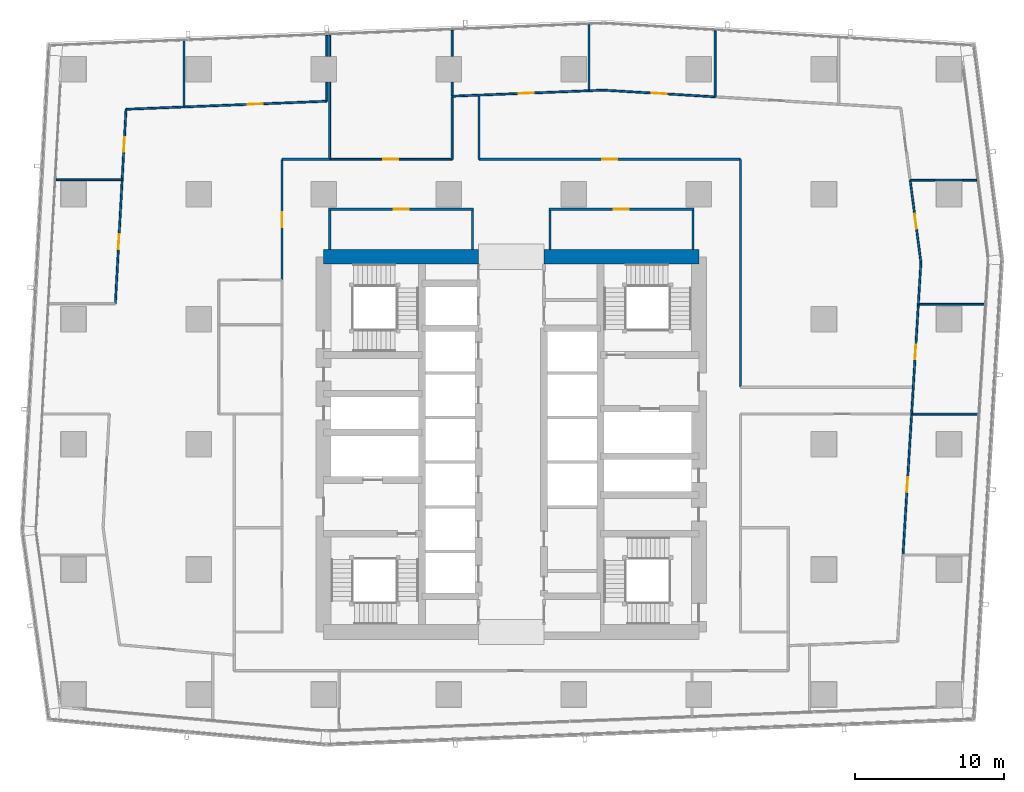
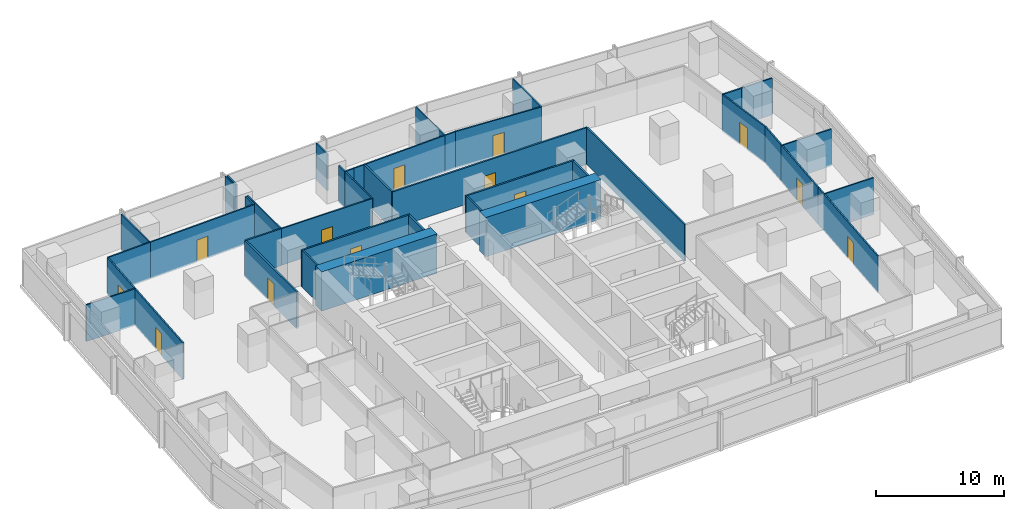
# One storey, part 31 of 40: 43 walls, 13 doors, 13 openings.
"""IFC4 building model written with IfcOpenShell, lengths in metres."""

from ifc_helpers import new_model, si_unit, direction, frame, frame_2d, origin, place, context, subcontext, project, spatial, rectangle, extrude, material, layer, layer_set, type_object, element, fill, save


model = new_model("IFC4")

# Units and contexts
model_context = context("Model", 3, precision=1e-05, world=origin(), true_north=direction((0.0, 1.0)))
body_context = subcontext(model_context, "Body", "Model", "MODEL_VIEW")
ifc_project = project(units=[si_unit("LENGTHUNIT", "METRE"), si_unit("AREAUNIT", "SQUARE_METRE"), si_unit("VOLUMEUNIT", "CUBIC_METRE"), si_unit("PLANEANGLEUNIT", "RADIAN"), si_unit("MASSUNIT", "GRAM", prefix="KILO")], contexts=[model_context])

# Site, building, storey
site_placement = place(None, origin())
site = spatial("IfcSite", under=ifc_project, at=site_placement, CompositionType="ELEMENT")
building_placement = place(site_placement, origin())
building = spatial("IfcBuilding", under=site, at=building_placement, Name="Rekha Terrace Tower", CompositionType="ELEMENT")
storey_placement = place(building_placement, frame((0.0, 0.0, 106.550048828125)))
storey = spatial("IfcBuildingStorey", under=building, at=storey_placement, Name="L26", CompositionType="ELEMENT", Elevation=106.550048828125)

# Walls
ifc_material_1 = material(Name="Concrete M70", Category="concrete")
ifc_layer_1 = layer(ifc_material_1, 1.0)
ifc_layer_set_1 = layer_set([ifc_layer_1], Name="Concrete M70")
wall_type_1 = type_object("IfcWallType", Name="SW2 1000 core outer shear wall", PredefinedType="SHEAR", material=ifc_layer_set_1)
wall_1_placement = place(storey_placement, frame((25.199951171875, 46.199951171875, 0.0), z_axis=(0.0, 0.0, 1.0), x_axis=(1.0, 0.0, 0.0)))
element("IfcWall", 1, at=wall_1_placement, inside=storey, type_object=wall_type_1, Name="Core wall N1 L26", PredefinedType="SHEAR", context=body_context, shape_type="SweptSolid", body=[
    extrude(rectangle(XDim=10.400146484375, YDim=1.0, at=frame_2d((5.2001953125, 0.0))), origin(), (0.0, 0.0, 1.0), 3.75),
])
wall_2_placement = place(storey_placement, frame((40.0, 46.199951171875, 0.0), z_axis=(0.0, 0.0, 1.0), x_axis=(1.0, 0.0, 0.0)))
element("IfcWall", 2, at=wall_2_placement, inside=storey, type_object=wall_type_1, Name="Core wall N2 L26", PredefinedType="SHEAR", context=body_context, shape_type="SweptSolid", body=[
    extrude(rectangle(XDim=10.39990234375, YDim=1.0, at=frame_2d((5.199951171875, 0.0))), origin(), (0.0, 0.0, 1.0), 3.75),
])

# Wall, opening, door
ifc_material_2 = material(Name="Concrete block masonry, 1 hour", Category="masonry")
ifc_layer_2 = layer(ifc_material_2, 0.14990234375)
ifc_layer_set_2 = layer_set([ifc_layer_2], Name="Concrete block masonry, 1 hour")
wall_type_2 = type_object("IfcWallType", Name="WP2 150 tenancy partition", PredefinedType="PARTITIONING", material=ifc_layer_set_2)
wall_3_placement = place(storey_placement, frame((40.324951171875, 49.39990234375, 0.0), z_axis=(0.0, 0.0, 1.0), x_axis=(1.0, 0.0, 0.0)))
wall_3 = element("IfcWall", 3, at=wall_3_placement, inside=storey, type_object=wall_type_2, Name="Women's WC wall L26", PredefinedType="PARTITIONING", context=body_context, shape_type="SweptSolid", body=[
    extrude(rectangle(XDim=9.75, YDim=0.14990234375, at=frame_2d((4.875, 0.0))), origin(), (0.0, 0.0, 1.0), 3.5),
])
opening_1_placement = place(wall_3_placement, frame((4.375, 0.0, 0.0)))
opening_1 = element("IfcOpeningElement", 4, at=opening_1_placement, cuts=wall_3, Name="Opening D3", PredefinedType="OPENING", context=body_context, shape_type="SweptSolid", body=[
    extrude(rectangle(XDim=1.0, YDim=2.10009765625, at=frame_2d((0.5, 1.050048828125))), frame((0.0, 0.0849609375, 0.0), z_axis=(0.0, -1.0, 0.0), x_axis=(1.0, 0.0, 0.0)), (0.0, 0.0, 1.0), 0.169921875),
])
ifc_material_3 = material(Name="Laminated timber fire door", Category="wood")
door_type_1 = type_object("IfcDoorType", Name="D3 1000x2100 WC door", OperationType="SINGLE_SWING_LEFT", PredefinedType="DOOR", material=ifc_material_3)
door_1_placement = place(opening_1_placement, origin())
door_1 = element("IfcDoor", 5, at=door_1_placement, inside=storey, type_object=door_type_1, Name="Door women's wc L26", OperationType="SINGLE_SWING_LEFT", OverallHeight=2.10009765625, OverallWidth=1.0, PredefinedType="DOOR", context=body_context, shape_type="SweptSolid", body=[
    extrude(rectangle(XDim=1.0, YDim=2.10009765625, at=frame_2d((0.5, 1.050048828125))), frame((0.0, 0.02490234375, 0.0), z_axis=(0.0, -1.0, 0.0), x_axis=(1.0, 0.0, 0.0)), (0.0, 0.0, 1.0), 0.050048828125),
])
fill(opening_1, door_1)

# Walls
for number, where, z_axis, x_axis, name in (
    (6, (40.39990234375, 46.699951171875, 0.0), (0.0, 0.0, 1.0), (0.0, 1.0, 0.0), "Women's WC wall L26"),
    (7, (50.0, 46.699951171875, 0.0), (0.0, 0.0, 1.0), (0.0, 1.0, 0.0), "Women's WC wall L26"),
):
    element("IfcWall", number, at=place(storey_placement, frame(where, z_axis=z_axis, x_axis=x_axis)), inside=storey, type_object=wall_type_2, Name=name, PredefinedType="PARTITIONING", context=body_context, shape_type="SweptSolid", body=[
        extrude(rectangle(XDim=2.625, YDim=0.14990234375, at=frame_2d((1.3125, 0.0))), origin(), (0.0, 0.0, 1.0), 3.5),
    ])

# Wall, opening, door
wall_4_placement = place(storey_placement, frame((25.52490234375, 49.39990234375, 0.0), z_axis=(0.0, 0.0, 1.0), x_axis=(1.0, 0.0, 0.0)))
wall_4 = element("IfcWall", 8, at=wall_4_placement, inside=storey, type_object=wall_type_2, Name="Women's WC wall L26", PredefinedType="PARTITIONING", context=body_context, shape_type="SweptSolid", body=[
    extrude(rectangle(XDim=9.75, YDim=0.14990234375, at=frame_2d((4.875, 0.0))), origin(), (0.0, 0.0, 1.0), 3.5),
])
opening_2_placement = place(wall_4_placement, frame((4.375, 0.0, 0.0)))
opening_2 = element("IfcOpeningElement", 9, at=opening_2_placement, cuts=wall_4, Name="Opening D3", PredefinedType="OPENING", context=body_context, shape_type="SweptSolid", body=[
    extrude(rectangle(XDim=1.0, YDim=2.10009765625, at=frame_2d((0.5, 1.050048828125))), frame((0.0, 0.0849609375, 0.0), z_axis=(0.0, -1.0, 0.0), x_axis=(1.0, 0.0, 0.0)), (0.0, 0.0, 1.0), 0.169921875),
])
door_2_placement = place(opening_2_placement, origin())
door_2 = element("IfcDoor", 10, at=door_2_placement, inside=storey, type_object=door_type_1, Name="Door women's wc L26", OperationType="SINGLE_SWING_LEFT", OverallHeight=2.10009765625, OverallWidth=1.0, PredefinedType="DOOR", context=body_context, shape_type="SweptSolid", body=[
    extrude(rectangle(XDim=1.0, YDim=2.10009765625, at=frame_2d((0.5, 1.050048828125))), frame((0.0, 0.02490234375, 0.0), z_axis=(0.0, -1.0, 0.0), x_axis=(1.0, 0.0, 0.0)), (0.0, 0.0, 1.0), 0.050048828125),
])
fill(opening_2, door_2)

# Walls
for number, where, z_axis, x_axis, name in (
    (11, (25.60009765625, 46.699951171875, 0.0), (0.0, 0.0, 1.0), (0.0, 1.0, 0.0), "Women's WC wall L26"),
    (12, (35.199951171875, 46.699951171875, 0.0), (0.0, 0.0, 1.0), (0.0, 1.0, 0.0), "Women's WC wall L26"),
):
    element("IfcWall", number, at=place(storey_placement, frame(where, z_axis=z_axis, x_axis=x_axis)), inside=storey, type_object=wall_type_2, Name=name, PredefinedType="PARTITIONING", context=body_context, shape_type="SweptSolid", body=[
        extrude(rectangle(XDim=2.625, YDim=0.14990234375, at=frame_2d((1.3125, 0.0))), origin(), (0.0, 0.0, 1.0), 3.5),
    ])
wall_5_placement = place(storey_placement, frame((66.260009765625, 51.35498046875, 0.0), z_axis=(0.0, 0.0, 1.0), x_axis=(1.0, 0.0, 0.0)))
element("IfcWall", 13, at=wall_5_placement, inside=storey, type_object=wall_type_2, Name="Partition L26-O1", PredefinedType="PARTITIONING", context=body_context, shape_type="SweptSolid", body=[
    extrude(rectangle(XDim=1.8798828125, YDim=0.14990234375, at=frame_2d((0.93994140625, 0.0))), origin(), (0.0, 0.0, 1.0), 3.5),
])
wall_6_placement = place(storey_placement, frame((53.199951171875, 37.43701171875, 0.0), z_axis=(0.0, 0.0, 1.0), x_axis=(0.0, 1.0, 0.0)))
element("IfcWall", 14, at=wall_6_placement, inside=storey, type_object=wall_type_2, Name="Partition L26-O1", PredefinedType="PARTITIONING", context=body_context, shape_type="SweptSolid", body=[
    extrude(rectangle(XDim=15.31298828125, YDim=0.14990234375, at=frame_2d((7.656494140625, 0.0))), origin(), (0.0, 0.0, 1.0), 3.5),
])

# Wall, opening, door
wall_7_placement = place(storey_placement, frame((53.199951171875, 52.75, 0.0), z_axis=(0.0, 0.0, 1.0), x_axis=(-1.0, 0.0, 0.0)))
wall_7 = element("IfcWall", 15, at=wall_7_placement, inside=storey, type_object=wall_type_2, Name="Partition L26-O1", PredefinedType="PARTITIONING", context=body_context, shape_type="SweptSolid", body=[
    extrude(rectangle(XDim=17.573974609375, YDim=0.14990234375, at=frame_2d((8.787109375, 0.0))), origin(), (0.0, 0.0, 1.0), 3.5),
])
opening_3_placement = place(wall_7_placement, frame((8.287109375, 0.0, 0.0)))
opening_3 = element("IfcOpeningElement", 16, at=opening_3_placement, cuts=wall_7, Name="Opening D9", PredefinedType="OPENING", context=body_context, shape_type="SweptSolid", body=[
    extrude(rectangle(XDim=1.0, YDim=2.10009765625, at=frame_2d((0.5, 1.050048828125))), frame((0.0, 0.0849609375, 0.0), z_axis=(0.0, -1.0, 0.0), x_axis=(1.0, 0.0, 0.0)), (0.0, 0.0, 1.0), 0.169921875),
])
ifc_material_4 = material(Name="Timber fire door", Category="wood")
door_type_2 = type_object("IfcDoorType", Name="D9 1000x2100 office door", OperationType="SINGLE_SWING_LEFT", PredefinedType="DOOR", material=ifc_material_4)
door_3_placement = place(opening_3_placement, origin())
door_3 = element("IfcDoor", 17, at=door_3_placement, inside=storey, type_object=door_type_2, Name="Door open-plan office L26", OperationType="SINGLE_SWING_LEFT", OverallHeight=2.10009765625, OverallWidth=1.0, PredefinedType="DOOR", context=body_context, shape_type="SweptSolid", body=[
    extrude(rectangle(XDim=1.0, YDim=2.10009765625, at=frame_2d((0.5, 1.050048828125))), frame((0.0, 0.02490234375, 0.0), z_axis=(0.0, -1.0, 0.0), x_axis=(1.0, 0.0, 0.0)), (0.0, 0.0, 1.0), 0.050048828125),
])
fill(opening_3, door_3)

# Walls
wall_8_placement = place(storey_placement, frame((35.6259765625, 52.75, 0.0), z_axis=(0.0, 0.0, 1.0), x_axis=(0.0, 1.0, 0.0)))
element("IfcWall", 18, at=wall_8_placement, inside=storey, type_object=wall_type_2, Name="Partition L26-O1", PredefinedType="PARTITIONING", context=body_context, shape_type="SweptSolid", body=[
    extrude(rectangle(XDim=4.24609375, YDim=0.14990234375, at=frame_2d((2.123046875, 0.0))), origin(), (0.0, 0.0, 1.0), 3.5),
])
wall_9_placement = place(storey_placement, frame((25.60009765625, 52.75, 0.0), z_axis=(0.0, 0.0, 1.0), x_axis=(-1.0, 0.0, 0.0)))
element("IfcWall", 19, at=wall_9_placement, inside=storey, type_object=wall_type_2, Name="Partition L26-O2", PredefinedType="PARTITIONING", context=body_context, shape_type="SweptSolid", body=[
    extrude(rectangle(XDim=3.2001953125, YDim=0.14990234375, at=frame_2d((1.60009765625, 0.0))), origin(), (0.0, 0.0, 1.0), 3.5),
])

# Wall, opening, door
wall_10_placement = place(storey_placement, frame((22.39990234375, 52.75, 0.0), z_axis=(0.0, 0.0, 1.0), x_axis=(0.0, -1.0, 0.0)))
wall_10 = element("IfcWall", 20, at=wall_10_placement, inside=storey, type_object=wall_type_2, Name="Partition L26-O2", PredefinedType="PARTITIONING", context=body_context, shape_type="SweptSolid", body=[
    extrude(rectangle(XDim=8.113037109375, YDim=0.14990234375, at=frame_2d((4.056640625, 0.0))), origin(), (0.0, 0.0, 1.0), 3.5),
])
opening_4_placement = place(wall_10_placement, frame((3.555908203125, 0.0, 0.0)))
opening_4 = element("IfcOpeningElement", 21, at=opening_4_placement, cuts=wall_10, Name="Opening D9", PredefinedType="OPENING", context=body_context, shape_type="SweptSolid", body=[
    extrude(rectangle(XDim=1.0, YDim=2.10009765625, at=frame_2d((0.5, 1.050048828125))), frame((0.0, 0.0849609375, 0.0), z_axis=(0.0, -1.0, 0.0), x_axis=(1.0, 0.0, 0.0)), (0.0, 0.0, 1.0), 0.169921875),
])
door_4_placement = place(opening_4_placement, origin())
door_4 = element("IfcDoor", 22, at=door_4_placement, inside=storey, type_object=door_type_2, Name="Door open-plan office L26", OperationType="SINGLE_SWING_LEFT", OverallHeight=2.10009765625, OverallWidth=1.0, PredefinedType="DOOR", context=body_context, shape_type="SweptSolid", body=[
    extrude(rectangle(XDim=1.0, YDim=2.10009765625, at=frame_2d((0.5, 1.050048828125))), frame((0.0, 0.02490234375, 0.0), z_axis=(0.0, -1.0, 0.0), x_axis=(1.0, 0.0, 0.0)), (0.0, 0.0, 1.0), 0.050048828125),
])
fill(opening_4, door_4)

ifc_material_5 = material(Name="Two layers of fire-rated gypsum board each side on steel studs, acoustic quilt, 1 hour", Category="steel")
ifc_layer_3 = layer(ifc_material_5, 0.125)
ifc_layer_set_3 = layer_set([ifc_layer_3], Name="Two layers of fire-rated gypsum board each side on steel studs, acoustic quilt, 1 hour")
wall_type_3 = type_object("IfcWallType", Name="WP3 125 office partition", PredefinedType="PARTITIONING", material=ifc_layer_set_3)
wall_11_placement = place(storey_placement, frame((64.114013671875, 26.1669921875, 0.0), z_axis=(0.0, 0.0, 1.0), x_axis=(0.061165020441, 0.998127667322, 0.0)))
wall_11 = element("IfcWall", 23, at=wall_11_placement, inside=storey, type_object=wall_type_3, Name="Partition L26-04", PredefinedType="PARTITIONING", context=body_context, shape_type="SweptSolid", body=[
    extrude(rectangle(XDim=9.48388671875, YDim=0.125, at=frame_2d((4.741943359375, 0.0))), origin(), (0.0, 0.0, 1.0), 3.5),
])
opening_5_placement = place(wall_11_placement, frame((4.241943359375, 0.0, 0.0)))
opening_5 = element("IfcOpeningElement", 24, at=opening_5_placement, cuts=wall_11, Name="Opening D9", PredefinedType="OPENING", context=body_context, shape_type="SweptSolid", body=[
    extrude(rectangle(XDim=1.0, YDim=2.10009765625, at=frame_2d((0.5, 1.050048828125))), frame((0.0, 0.072509765625, 0.0), z_axis=(0.0, -1.0, 0.0), x_axis=(1.0, 0.0, 0.0)), (0.0, 0.0, 1.0), 0.14501953125),
])
door_5_placement = place(opening_5_placement, origin())
door_5 = element("IfcDoor", 25, at=door_5_placement, inside=storey, type_object=door_type_2, Name="Door office L26", OperationType="SINGLE_SWING_LEFT", OverallHeight=2.10009765625, OverallWidth=1.0, PredefinedType="DOOR", context=body_context, shape_type="SweptSolid", body=[
    extrude(rectangle(XDim=1.0, YDim=2.10009765625, at=frame_2d((0.5, 1.050048828125))), frame((0.0, 0.02490234375, 0.0), z_axis=(0.0, -1.0, 0.0), x_axis=(1.0, 0.0, 0.0)), (0.0, 0.0, 1.0), 0.050048828125),
])
fill(opening_5, door_5)

# Wall
wall_12_placement = place(storey_placement, frame((64.694091796875, 35.633056640625, 0.0), z_axis=(0.0, 0.0, 1.0), x_axis=(1.0, 0.0, 0.0)))
element("IfcWall", 26, at=wall_12_placement, inside=storey, type_object=wall_type_3, Name="Partition L26-04", PredefinedType="PARTITIONING", context=body_context, shape_type="SweptSolid", body=[
    extrude(rectangle(XDim=4.4580078125, YDim=0.125, at=frame_2d((2.22900390625, 0.0))), origin(), (0.0, 0.0, 1.0), 3.5),
])

# Wall, opening, door
wall_13_placement = place(storey_placement, frame((64.7529296875, 36.589111328125, 0.0), z_axis=(0.0, 0.0, 1.0), x_axis=(0.061083835669, 0.998132638991, 0.0)))
wall_13 = element("IfcWall", 27, at=wall_13_placement, inside=storey, type_object=wall_type_3, Name="Partition L26-05", PredefinedType="PARTITIONING", context=body_context, shape_type="SweptSolid", body=[
    extrude(rectangle(XDim=6.434814453125, YDim=0.125, at=frame_2d((3.21728515625, 0.0))), origin(), (0.0, 0.0, 1.0), 3.5),
])
opening_6_placement = place(wall_13_placement, frame((2.718017578125, 0.0, 0.0)))
opening_6 = element("IfcOpeningElement", 28, at=opening_6_placement, cuts=wall_13, Name="Opening D9", PredefinedType="OPENING", context=body_context, shape_type="SweptSolid", body=[
    extrude(rectangle(XDim=1.0, YDim=2.10009765625, at=frame_2d((0.5, 1.050048828125))), frame((0.0, 0.072509765625, 0.0), z_axis=(0.0, -1.0, 0.0), x_axis=(1.0, 0.0, 0.0)), (0.0, 0.0, 1.0), 0.14501953125),
])
door_6_placement = place(opening_6_placement, origin())
door_6 = element("IfcDoor", 29, at=door_6_placement, inside=storey, type_object=door_type_2, Name="Door office L26", OperationType="SINGLE_SWING_LEFT", OverallHeight=2.10009765625, OverallWidth=1.0, PredefinedType="DOOR", context=body_context, shape_type="SweptSolid", body=[
    extrude(rectangle(XDim=1.0, YDim=2.10009765625, at=frame_2d((0.5, 1.050048828125))), frame((0.0, 0.02490234375, 0.0), z_axis=(0.0, -1.0, 0.0), x_axis=(1.0, 0.0, 0.0)), (0.0, 0.0, 1.0), 0.050048828125),
])
fill(opening_6, door_6)

# Walls
wall_14_placement = place(storey_placement, frame((65.14599609375, 43.011962890625, 0.0), z_axis=(0.0, 0.0, 1.0), x_axis=(1.0, 0.0, 0.0)))
element("IfcWall", 30, at=wall_14_placement, inside=storey, type_object=wall_type_3, Name="Partition L26-05", PredefinedType="PARTITIONING", context=body_context, shape_type="SweptSolid", body=[
    extrude(rectangle(XDim=4.4580078125, YDim=0.125, at=frame_2d((2.22900390625, 0.0))), origin(), (0.0, 0.0, 1.0), 3.5),
])
wall_15_placement = place(storey_placement, frame((64.694091796875, 35.634033203125, 0.0), z_axis=(0.0, 0.0, 1.0), x_axis=(0.061488745964, 0.998107776806, 0.0)))
element("IfcWall", 31, at=wall_15_placement, inside=storey, type_object=wall_type_3, Name="Partition L26-05", PredefinedType="PARTITIONING", context=body_context, shape_type="SweptSolid", body=[
    extrude(rectangle(XDim=0.956787109375, YDim=0.125, at=frame_2d((0.478515625, 0.0))), origin(), (0.0, 0.0, 1.0), 3.5),
])
wall_16_placement = place(storey_placement, frame((64.59912109375, 51.337890625, 0.0), z_axis=(0.0, 0.0, 1.0), x_axis=(1.0, 0.0, 0.0)))
element("IfcWall", 32, at=wall_16_placement, inside=storey, type_object=wall_type_3, Name="Partition L26-06", PredefinedType="PARTITIONING", context=body_context, shape_type="SweptSolid", body=[
    extrude(rectangle(XDim=1.660888671875, YDim=0.125, at=frame_2d((0.83056640625, 0.0))), origin(), (0.0, 0.0, 1.0), 3.5),
])
wall_17_placement = place(storey_placement, frame((68.139892578125, 51.337890625, 0.0), z_axis=(0.0, 0.0, 1.0), x_axis=(1.0, 0.0, 0.0)))
element("IfcWall", 33, at=wall_17_placement, inside=storey, type_object=wall_type_3, Name="Partition L26-06", PredefinedType="PARTITIONING", context=body_context, shape_type="SweptSolid", body=[
    extrude(rectangle(XDim=0.9169921875, YDim=0.125, at=frame_2d((0.45849609375, 0.0))), origin(), (0.0, 0.0, 1.0), 3.5),
])
wall_18_placement = place(storey_placement, frame((65.14599609375, 43.012939453125, 0.0), z_axis=(0.0, 0.0, 1.0), x_axis=(0.061242528703, 0.998122914614, 0.0)))
element("IfcWall", 34, at=wall_18_placement, inside=storey, type_object=wall_type_3, Name="Partition L26-06", PredefinedType="PARTITIONING", context=body_context, shape_type="SweptSolid", body=[
    extrude(rectangle(XDim=2.810546875, YDim=0.125, at=frame_2d((1.4052734375, 0.0))), origin(), (0.0, 0.0, 1.0), 3.5),
])

# Wall, opening, door
wall_19_placement = place(storey_placement, frame((65.318115234375, 45.818115234375, 0.0), z_axis=(0.0, 0.0, 1.0), x_axis=(-0.129166678345, 0.991622896673, 0.0)))
wall_19 = element("IfcWall", 35, at=wall_19_placement, inside=storey, type_object=wall_type_3, Name="Partition L26-06", PredefinedType="PARTITIONING", context=body_context, shape_type="SweptSolid", body=[
    extrude(rectangle(XDim=5.56640625, YDim=0.125, at=frame_2d((2.783203125, 0.0))), origin(), (0.0, 0.0, 1.0), 3.5),
])
opening_7_placement = place(wall_19_placement, frame((2.282958984375, 0.0, 0.0)))
opening_7 = element("IfcOpeningElement", 36, at=opening_7_placement, cuts=wall_19, Name="Opening D9", PredefinedType="OPENING", context=body_context, shape_type="SweptSolid", body=[
    extrude(rectangle(XDim=1.0, YDim=2.10009765625, at=frame_2d((0.5, 1.050048828125))), frame((0.0, 0.072509765625, 0.0), z_axis=(0.0, -1.0, 0.0), x_axis=(1.0, 0.0, 0.0)), (0.0, 0.0, 1.0), 0.14501953125),
])
door_7_placement = place(opening_7_placement, origin())
door_7 = element("IfcDoor", 37, at=door_7_placement, inside=storey, type_object=door_type_2, Name="Door office L26", OperationType="SINGLE_SWING_LEFT", OverallHeight=2.10009765625, OverallWidth=1.0, PredefinedType="DOOR", context=body_context, shape_type="SweptSolid", body=[
    extrude(rectangle(XDim=1.0, YDim=2.10009765625, at=frame_2d((0.5, 1.050048828125))), frame((0.0, 0.02490234375, 0.0), z_axis=(0.0, -1.0, 0.0), x_axis=(1.0, 0.0, 0.0)), (0.0, 0.0, 1.0), 0.050048828125),
])
fill(opening_7, door_7)

# Walls
wall_20_placement = place(storey_placement, frame((51.4951171875, 56.944091796875, 0.0), z_axis=(0.0, 0.0, 1.0), x_axis=(0.0, 1.0, 0.0)))
element("IfcWall", 38, at=wall_20_placement, inside=storey, type_object=wall_type_3, Name="Partition L26-08", PredefinedType="PARTITIONING", context=body_context, shape_type="SweptSolid", body=[
    extrude(rectangle(XDim=4.427978515625, YDim=0.125, at=frame_2d((2.2138671875, 0.0))), origin(), (0.0, 0.0, 1.0), 3.5),
])
wall_21_placement = place(storey_placement, frame((43.02392578125, 57.35595703125, 0.0), z_axis=(0.0, 0.0, 1.0), x_axis=(0.0, 1.0, 0.0)))
element("IfcWall", 39, at=wall_21_placement, inside=storey, type_object=wall_type_3, Name="Partition L26-09", PredefinedType="PARTITIONING", context=body_context, shape_type="SweptSolid", body=[
    extrude(rectangle(XDim=4.453125, YDim=0.125, at=frame_2d((2.2265625, 0.0))), origin(), (0.0, 0.0, 1.0), 3.5),
])

# Wall, opening, door
wall_22_placement = place(storey_placement, frame((51.493896484375, 56.944091796875, 0.0), z_axis=(0.0, 0.0, 1.0), x_axis=(-0.998197924015, 0.060007536963, 0.0)))
wall_22 = element("IfcWall", 40, at=wall_22_placement, inside=storey, type_object=wall_type_3, Name="Partition L26-09", PredefinedType="PARTITIONING", context=body_context, shape_type="SweptSolid", body=[
    extrude(rectangle(XDim=7.514404296875, YDim=0.125, at=frame_2d((3.75732421875, 0.0))), origin(), (0.0, 0.0, 1.0), 3.5),
])
opening_8_placement = place(wall_22_placement, frame((3.257080078125, 0.0, 0.0)))
opening_8 = element("IfcOpeningElement", 41, at=opening_8_placement, cuts=wall_22, Name="Opening D9", PredefinedType="OPENING", context=body_context, shape_type="SweptSolid", body=[
    extrude(rectangle(XDim=1.0, YDim=2.10009765625, at=frame_2d((0.5, 1.050048828125))), frame((0.0, 0.072509765625, 0.0), z_axis=(0.0, -1.0, 0.0), x_axis=(1.0, 0.0, 0.0)), (0.0, 0.0, 1.0), 0.14501953125),
])
door_8_placement = place(opening_8_placement, origin())
door_8 = element("IfcDoor", 42, at=door_8_placement, inside=storey, type_object=door_type_2, Name="Door office L26", OperationType="SINGLE_SWING_LEFT", OverallHeight=2.10009765625, OverallWidth=1.0, PredefinedType="DOOR", context=body_context, shape_type="SweptSolid", body=[
    extrude(rectangle(XDim=1.0, YDim=2.10009765625, at=frame_2d((0.5, 1.050048828125))), frame((0.0, 0.02490234375, 0.0), z_axis=(0.0, -1.0, 0.0), x_axis=(1.0, 0.0, 0.0)), (0.0, 0.0, 1.0), 0.050048828125),
])
fill(opening_8, door_8)

# Walls
wall_23_placement = place(storey_placement, frame((43.992919921875, 57.39501953125, 0.0), z_axis=(0.0, 0.0, 1.0), x_axis=(-0.999188443352, -0.040279705451, 0.0)))
element("IfcWall", 43, at=wall_23_placement, inside=storey, type_object=wall_type_3, Name="Partition L26-09", PredefinedType="PARTITIONING", context=body_context, shape_type="SweptSolid", body=[
    extrude(rectangle(XDim=0.9697265625, YDim=0.125, at=frame_2d((0.48486328125, 0.0))), origin(), (0.0, 0.0, 1.0), 3.5),
])
wall_24_placement = place(storey_placement, frame((33.827880859375, 56.987060546875, 0.0), z_axis=(0.0, 0.0, 1.0), x_axis=(0.0, 1.0, 0.0)))
element("IfcWall", 44, at=wall_24_placement, inside=storey, type_object=wall_type_3, Name="Partition L26-10", PredefinedType="PARTITIONING", context=body_context, shape_type="SweptSolid", body=[
    extrude(rectangle(XDim=0.94287109375, YDim=0.125, at=frame_2d((0.471435546875, 0.0))), origin(), (0.0, 0.0, 1.0), 3.5),
])
wall_25_placement = place(storey_placement, frame((33.827880859375, 59.669921875, 0.0), z_axis=(0.0, 0.0, 1.0), x_axis=(0.0, 1.0, 0.0)))
element("IfcWall", 45, at=wall_25_placement, inside=storey, type_object=wall_type_3, Name="Partition L26-10", PredefinedType="PARTITIONING", context=body_context, shape_type="SweptSolid", body=[
    extrude(rectangle(XDim=1.740966796875, YDim=0.125, at=frame_2d((0.87060546875, 0.0))), origin(), (0.0, 0.0, 1.0), 3.5),
])

# Wall, opening, door
wall_26_placement = place(storey_placement, frame((43.02294921875, 57.35595703125, 0.0), z_axis=(0.0, 0.0, 1.0), x_axis=(-0.99919558042, -0.040102270134, 0.0)))
wall_26 = element("IfcWall", 46, at=wall_26_placement, inside=storey, type_object=wall_type_3, Name="Partition L26-10", PredefinedType="PARTITIONING", context=body_context, shape_type="SweptSolid", body=[
    extrude(rectangle(XDim=8.42578125, YDim=0.125, at=frame_2d((4.212890625, 0.0))), origin(), (0.0, 0.0, 1.0), 3.5),
])
opening_9_placement = place(wall_26_placement, frame((3.712890625, 0.0, 0.0)))
opening_9 = element("IfcOpeningElement", 47, at=opening_9_placement, cuts=wall_26, Name="Opening D9", PredefinedType="OPENING", context=body_context, shape_type="SweptSolid", body=[
    extrude(rectangle(XDim=1.0, YDim=2.10009765625, at=frame_2d((0.5, 1.050048828125))), frame((0.0, 0.072509765625, 0.0), z_axis=(0.0, -1.0, 0.0), x_axis=(1.0, 0.0, 0.0)), (0.0, 0.0, 1.0), 0.14501953125),
])
door_9_placement = place(opening_9_placement, origin())
door_9 = element("IfcDoor", 48, at=door_9_placement, inside=storey, type_object=door_type_2, Name="Door office L26", OperationType="SINGLE_SWING_LEFT", OverallHeight=2.10009765625, OverallWidth=1.0, PredefinedType="DOOR", context=body_context, shape_type="SweptSolid", body=[
    extrude(rectangle(XDim=1.0, YDim=2.10009765625, at=frame_2d((0.5, 1.050048828125))), frame((0.0, 0.02490234375, 0.0), z_axis=(0.0, -1.0, 0.0), x_axis=(1.0, 0.0, 0.0)), (0.0, 0.0, 1.0), 0.050048828125),
])
fill(opening_9, door_9)

# Walls
wall_27_placement = place(storey_placement, frame((34.60400390625, 57.01806640625, 0.0), z_axis=(0.0, 0.0, 1.0), x_axis=(-0.999202965854, -0.039917828457, 0.0)))
element("IfcWall", 49, at=wall_27_placement, inside=storey, type_object=wall_type_3, Name="Partition L26-10", PredefinedType="PARTITIONING", context=body_context, shape_type="SweptSolid", body=[
    extrude(rectangle(XDim=0.77685546875, YDim=0.125, at=frame_2d((0.388427734375, 0.0))), origin(), (0.0, 0.0, 1.0), 3.5),
])
wall_28_placement = place(storey_placement, frame((33.825927734375, 56.924072265625, 0.0), z_axis=(0.0, 0.0, 1.0), x_axis=(0.0, -1.0, 0.0)))
element("IfcWall", 50, at=wall_28_placement, inside=storey, type_object=wall_type_3, Name="Partition L26-12", PredefinedType="PARTITIONING", context=body_context, shape_type="SweptSolid", body=[
    extrude(rectangle(XDim=4.174072265625, YDim=0.125, at=frame_2d((2.0869140625, 0.0))), origin(), (0.0, 0.0, 1.0), 3.5),
])

# Wall, opening, door
wall_29_placement = place(storey_placement, frame((33.825927734375, 52.75, 0.0), z_axis=(0.0, 0.0, 1.0), x_axis=(-1.0, 0.0, 0.0)))
wall_29 = element("IfcWall", 51, at=wall_29_placement, inside=storey, type_object=wall_type_3, Name="Partition L26-12", PredefinedType="PARTITIONING", context=body_context, shape_type="SweptSolid", body=[
    extrude(rectangle(XDim=8.225830078125, YDim=0.125, at=frame_2d((4.11279296875, 0.0))), origin(), (0.0, 0.0, 1.0), 3.5),
])
opening_10_placement = place(wall_29_placement, frame((3.613037109375, 0.0, 0.0)))
opening_10 = element("IfcOpeningElement", 52, at=opening_10_placement, cuts=wall_29, Name="Opening D9", PredefinedType="OPENING", context=body_context, shape_type="SweptSolid", body=[
    extrude(rectangle(XDim=1.0, YDim=2.10009765625, at=frame_2d((0.5, 1.050048828125))), frame((0.0, 0.072509765625, 0.0), z_axis=(0.0, -1.0, 0.0), x_axis=(1.0, 0.0, 0.0)), (0.0, 0.0, 1.0), 0.14501953125),
])
door_10_placement = place(opening_10_placement, origin())
door_10 = element("IfcDoor", 53, at=door_10_placement, inside=storey, type_object=door_type_2, Name="Door reception L26", OperationType="SINGLE_SWING_LEFT", OverallHeight=2.10009765625, OverallWidth=1.0, PredefinedType="DOOR", context=body_context, shape_type="SweptSolid", body=[
    extrude(rectangle(XDim=1.0, YDim=2.10009765625, at=frame_2d((0.5, 1.050048828125))), frame((0.0, 0.02490234375, 0.0), z_axis=(0.0, -1.0, 0.0), x_axis=(1.0, 0.0, 0.0)), (0.0, 0.0, 1.0), 0.050048828125),
])
fill(opening_10, door_10)

# Walls
wall_30_placement = place(storey_placement, frame((25.60009765625, 52.75, 0.0), z_axis=(0.0, 0.0, 1.0), x_axis=(0.0, 1.0, 0.0)))
element("IfcWall", 54, at=wall_30_placement, inside=storey, type_object=wall_type_3, Name="Partition L26-12", PredefinedType="PARTITIONING", context=body_context, shape_type="SweptSolid", body=[
    extrude(rectangle(XDim=5.179931640625, YDim=0.125, at=frame_2d((2.58984375, 0.0))), origin(), (0.0, 0.0, 1.0), 3.5),
])
wall_31_placement = place(storey_placement, frame((25.60009765625, 59.669921875, 0.0), z_axis=(0.0, 0.0, 1.0), x_axis=(0.0, 1.0, 0.0)))
element("IfcWall", 55, at=wall_31_placement, inside=storey, type_object=wall_type_3, Name="Partition L26-12", PredefinedType="PARTITIONING", context=body_context, shape_type="SweptSolid", body=[
    extrude(rectangle(XDim=1.4111328125, YDim=0.125, at=frame_2d((0.70556640625, 0.0))), origin(), (0.0, 0.0, 1.0), 3.5),
])
wall_32_placement = place(storey_placement, frame((15.81494140625, 56.264892578125, 0.0), z_axis=(0.0, 0.0, 1.0), x_axis=(0.0, 1.0, 0.0)))
element("IfcWall", 56, at=wall_32_placement, inside=storey, type_object=wall_type_3, Name="Partition L26-13", PredefinedType="PARTITIONING", context=body_context, shape_type="SweptSolid", body=[
    extrude(rectangle(XDim=4.424072265625, YDim=0.125, at=frame_2d((2.2119140625, 0.0))), origin(), (0.0, 0.0, 1.0), 3.5),
])
wall_33_placement = place(storey_placement, frame((25.4130859375, 61.073974609375, 0.0), z_axis=(0.0, 0.0, 1.0), x_axis=(0.0, -1.0, 0.0)))
element("IfcWall", 57, at=wall_33_placement, inside=storey, type_object=wall_type_3, Name="Partition L26-13", PredefinedType="PARTITIONING", context=body_context, shape_type="SweptSolid", body=[
    extrude(rectangle(XDim=1.404052734375, YDim=0.125, at=frame_2d((0.7021484375, 0.0))), origin(), (0.0, 0.0, 1.0), 3.5),
])
wall_34_placement = place(storey_placement, frame((25.4130859375, 57.929931640625, 0.0), z_axis=(0.0, 0.0, 1.0), x_axis=(0.0, -1.0, 0.0)))
element("IfcWall", 58, at=wall_34_placement, inside=storey, type_object=wall_type_3, Name="Partition L26-13", PredefinedType="PARTITIONING", context=body_context, shape_type="SweptSolid", body=[
    extrude(rectangle(XDim=1.280029296875, YDim=0.125, at=frame_2d((0.64013671875, 0.0))), origin(), (0.0, 0.0, 1.0), 3.5),
])

# Wall, opening, door
wall_35_placement = place(storey_placement, frame((25.4130859375, 56.64990234375, 0.0), z_axis=(0.0, 0.0, 1.0), x_axis=(-0.999196445736, -0.040080703946, 0.0)))
wall_35 = element("IfcWall", 59, at=wall_35_placement, inside=storey, type_object=wall_type_3, Name="Partition L26-13", PredefinedType="PARTITIONING", context=body_context, shape_type="SweptSolid", body=[
    extrude(rectangle(XDim=9.60595703125, YDim=0.125, at=frame_2d((4.802978515625, 0.0))), origin(), (0.0, 0.0, 1.0), 3.5),
])
opening_11_placement = place(wall_35_placement, frame((4.302978515625, 0.0, 0.0)))
opening_11 = element("IfcOpeningElement", 60, at=opening_11_placement, cuts=wall_35, Name="Opening D9", PredefinedType="OPENING", context=body_context, shape_type="SweptSolid", body=[
    extrude(rectangle(XDim=1.0, YDim=2.10009765625, at=frame_2d((0.5, 1.050048828125))), frame((0.0, 0.072509765625, 0.0), z_axis=(0.0, -1.0, 0.0), x_axis=(1.0, 0.0, 0.0)), (0.0, 0.0, 1.0), 0.14501953125),
])
door_11_placement = place(opening_11_placement, origin())
door_11 = element("IfcDoor", 61, at=door_11_placement, inside=storey, type_object=door_type_2, Name="Door office L26", OperationType="SINGLE_SWING_LEFT", OverallHeight=2.10009765625, OverallWidth=1.0, PredefinedType="DOOR", context=body_context, shape_type="SweptSolid", body=[
    extrude(rectangle(XDim=1.0, YDim=2.10009765625, at=frame_2d((0.5, 1.050048828125))), frame((0.0, 0.02490234375, 0.0), z_axis=(0.0, -1.0, 0.0), x_axis=(1.0, 0.0, 0.0)), (0.0, 0.0, 1.0), 0.050048828125),
])
fill(opening_11, door_11)

# Walls
wall_36_placement = place(storey_placement, frame((11.6630859375, 51.37890625, 0.0), z_axis=(0.0, 0.0, 1.0), x_axis=(-1.0, 0.0, 0.0)))
element("IfcWall", 62, at=wall_36_placement, inside=storey, type_object=wall_type_3, Name="Partition L26-14", PredefinedType="PARTITIONING", context=body_context, shape_type="SweptSolid", body=[
    extrude(rectangle(XDim=4.427001953125, YDim=0.125, at=frame_2d((2.21337890625, 0.0))), origin(), (0.0, 0.0, 1.0), 3.5),
])
wall_37_placement = place(storey_placement, frame((15.81396484375, 56.264892578125, 0.0), z_axis=(0.0, 0.0, 1.0), x_axis=(-0.999197550699, -0.040053148165, 0.0)))
element("IfcWall", 63, at=wall_37_placement, inside=storey, type_object=wall_type_3, Name="Partition L26-14", PredefinedType="PARTITIONING", context=body_context, shape_type="SweptSolid", body=[
    extrude(rectangle(XDim=3.89501953125, YDim=0.125, at=frame_2d((1.947509765625, 0.0))), origin(), (0.0, 0.0, 1.0), 3.5),
])

# Wall, opening, door
wall_38_placement = place(storey_placement, frame((11.922119140625, 56.10888671875, 0.0), z_axis=(0.0, 0.0, 1.0), x_axis=(-0.054682179352, -0.998503810339, 0.0)))
wall_38 = element("IfcWall", 64, at=wall_38_placement, inside=storey, type_object=wall_type_3, Name="Partition L26-14", PredefinedType="PARTITIONING", context=body_context, shape_type="SweptSolid", body=[
    extrude(rectangle(XDim=4.737060546875, YDim=0.125, at=frame_2d((2.36865234375, 0.0))), origin(), (0.0, 0.0, 1.0), 3.5),
])
opening_12_placement = place(wall_38_placement, frame((1.868896484375, 0.0, 0.0)))
opening_12 = element("IfcOpeningElement", 65, at=opening_12_placement, cuts=wall_38, Name="Opening D9", PredefinedType="OPENING", context=body_context, shape_type="SweptSolid", body=[
    extrude(rectangle(XDim=1.0, YDim=2.10009765625, at=frame_2d((0.5, 1.050048828125))), frame((0.0, 0.072509765625, 0.0), z_axis=(0.0, -1.0, 0.0), x_axis=(1.0, 0.0, 0.0)), (0.0, 0.0, 1.0), 0.14501953125),
])
door_12_placement = place(opening_12_placement, origin())
door_12 = element("IfcDoor", 66, at=door_12_placement, inside=storey, type_object=door_type_2, Name="Door manager's office L26", OperationType="SINGLE_SWING_LEFT", OverallHeight=2.10009765625, OverallWidth=1.0, PredefinedType="DOOR", context=body_context, shape_type="SweptSolid", body=[
    extrude(rectangle(XDim=1.0, YDim=2.10009765625, at=frame_2d((0.5, 1.050048828125))), frame((0.0, 0.02490234375, 0.0), z_axis=(0.0, -1.0, 0.0), x_axis=(1.0, 0.0, 0.0)), (0.0, 0.0, 1.0), 0.050048828125),
])
fill(opening_12, door_12)

wall_39_placement = place(storey_placement, frame((11.6630859375, 51.3779296875, 0.0), z_axis=(0.0, 0.0, 1.0), x_axis=(-0.054769987218, -0.998498997746, 0.0)))
wall_39 = element("IfcWall", 67, at=wall_39_placement, inside=storey, type_object=wall_type_3, Name="Partition L26-15", PredefinedType="PARTITIONING", context=body_context, shape_type="SweptSolid", body=[
    extrude(rectangle(XDim=8.344482421875, YDim=0.125, at=frame_2d((4.17236328125, 0.0))), origin(), (0.0, 0.0, 1.0), 3.5),
])
opening_13_placement = place(wall_39_placement, frame((3.672119140625, 0.0, 0.0)))
opening_13 = element("IfcOpeningElement", 68, at=opening_13_placement, cuts=wall_39, Name="Opening D9", PredefinedType="OPENING", context=body_context, shape_type="SweptSolid", body=[
    extrude(rectangle(XDim=1.0, YDim=2.10009765625, at=frame_2d((0.5, 1.050048828125))), frame((0.0, 0.072509765625, 0.0), z_axis=(0.0, -1.0, 0.0), x_axis=(1.0, 0.0, 0.0)), (0.0, 0.0, 1.0), 0.14501953125),
])
door_13_placement = place(opening_13_placement, origin())
door_13 = element("IfcDoor", 69, at=door_13_placement, inside=storey, type_object=door_type_2, Name="Door breakout lounge L26", OperationType="SINGLE_SWING_LEFT", OverallHeight=2.10009765625, OverallWidth=1.0, PredefinedType="DOOR", context=body_context, shape_type="SweptSolid", body=[
    extrude(rectangle(XDim=1.0, YDim=2.10009765625, at=frame_2d((0.5, 1.050048828125))), frame((0.0, 0.02490234375, 0.0), z_axis=(0.0, -1.0, 0.0), x_axis=(1.0, 0.0, 0.0)), (0.0, 0.0, 1.0), 0.050048828125),
])
fill(opening_13, door_13)

save(model, "model.ifc")
